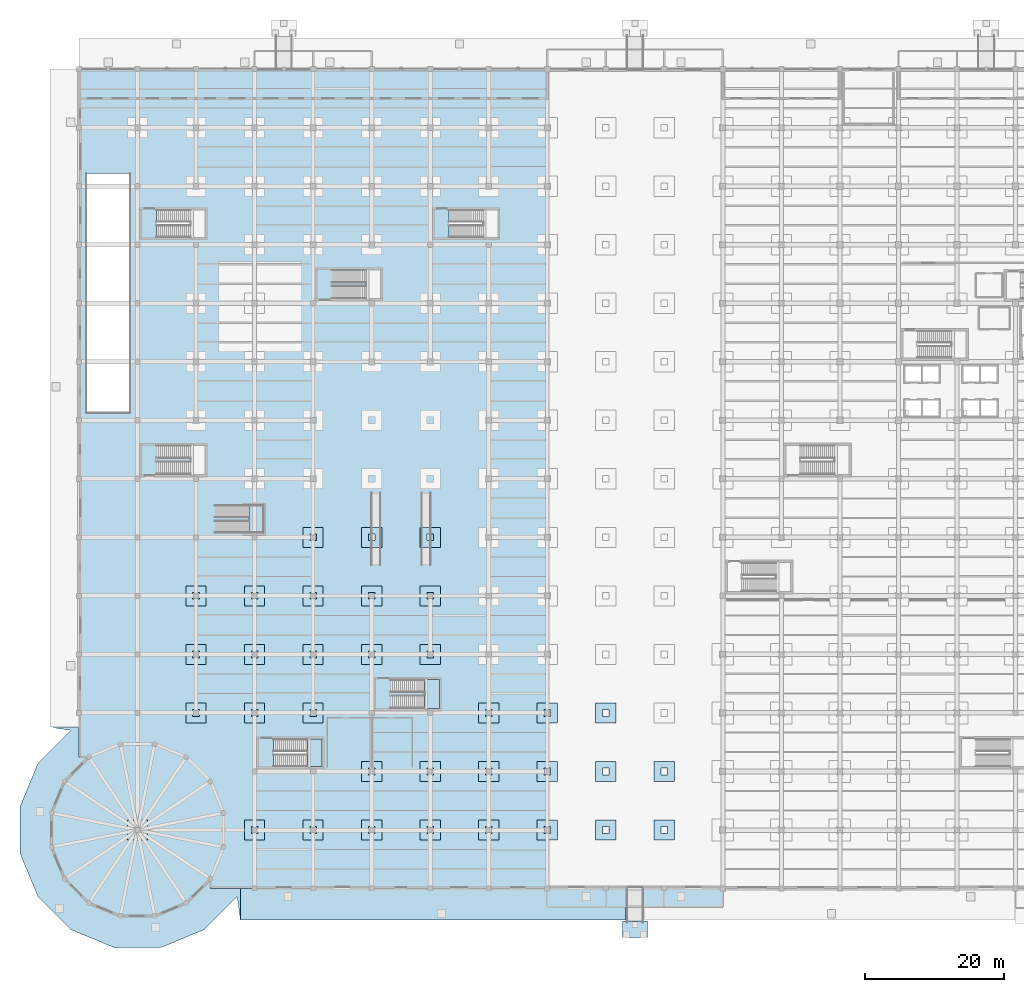
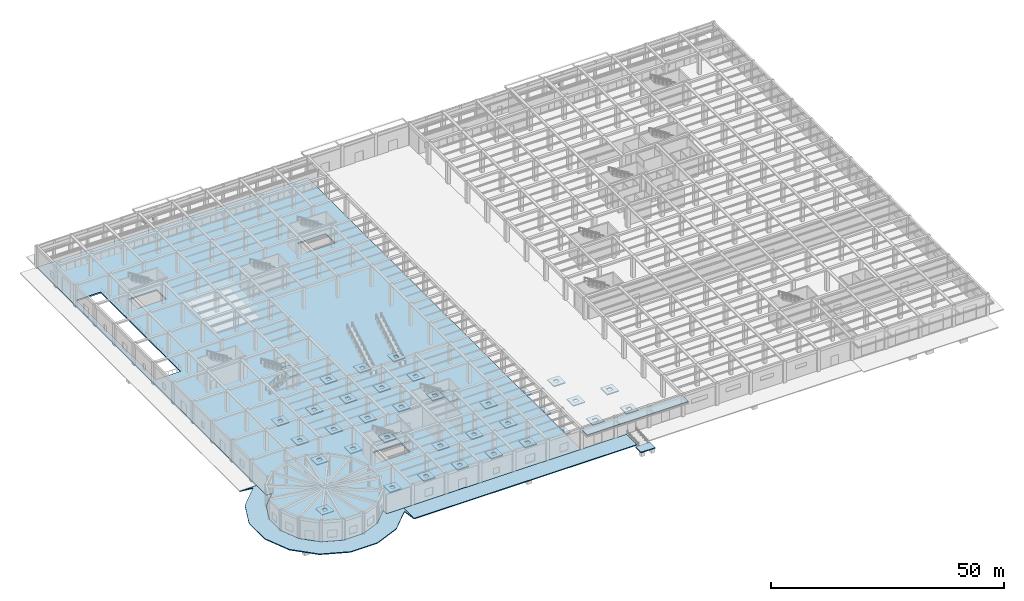
# One storey, part 16 of 43: 42 slabs, 4 elements without a shape of their own.
"""IFC4 building model written with IfcOpenShell, lengths in metres."""

from ifc_helpers import new_model, si_unit, direction, frame, origin, place, context, subcontext, project, spatial, polyline, outline, extrude, material, layer, layer_set, type_object, element, aggregate, save


model = new_model("IFC4")

# Units and contexts
model_context = context("Model", 3, precision=1e-05, world=origin(), true_north=direction((0.0, 1.0)))
body_context = subcontext(model_context, "Body", "Model", "MODEL_VIEW")
ifc_project = project(units=[si_unit("LENGTHUNIT", "METRE"), si_unit("AREAUNIT", "SQUARE_METRE"), si_unit("VOLUMEUNIT", "CUBIC_METRE"), si_unit("PLANEANGLEUNIT", "RADIAN"), si_unit("MASSUNIT", "GRAM", prefix="KILO")], contexts=[model_context])

# Site, building, storey
site_placement = place(None, origin())
site = spatial("IfcSite", under=ifc_project, at=site_placement, CompositionType="ELEMENT")
building_placement = place(site_placement, origin())
building = spatial("IfcBuilding", under=site, at=building_placement, Name="Almacenes y Pasaje Nevantli", CompositionType="ELEMENT")
storey_placement = place(building_placement, origin())
storey = spatial("IfcBuildingStorey", under=building, at=storey_placement, Name="L01", CompositionType="ELEMENT", Elevation=0.0)

# Roof, slab
ifc_material_1 = material(Name="Concrete C35/45", Category="concrete")
roof_type = type_object("IfcRoofType", Name="ROOF-FLAT-DECK", PredefinedType="FLAT_ROOF", material=ifc_material_1)
roof_placement = place(storey_placement, origin())
roof = element("IfcRoof", 1, at=roof_placement, inside=storey, type_object=roof_type, Name="L01 Boulevard and Dock Canopy Roof cnp-south-portal", PredefinedType="FLAT_ROOF")
ifc_material_2 = material(Name="Architectural Precast Concrete C35/45", Category="concrete")
ifc_layer_1 = layer(ifc_material_2, 0.139892578125)
ifc_layer_set_1 = layer_set([ifc_layer_1], Name="Architectural Precast Concrete C35/45")
slab_type_1 = type_object("IfcSlabType", Name="SLB-CANOPY-140", PredefinedType="ROOF", material=ifc_layer_set_1)
slab_1_placement = place(storey_placement, frame((0.0, 0.0, 5.159912109375)))
slab_1 = element("IfcSlab", 2, at=slab_1_placement, type_object=slab_type_1, Name="Architectural Precast Canopy Deck cnp-south-portal", PredefinedType="ROOF", context=body_context, shape_type="SweptSolid", body=[
    extrude(outline(polyline([(67.199951171875, -2.60009765625), (92.39990234375, -2.60009765625), (92.39990234375, 0.0), (67.199951171875, 0.0), (67.199951171875, -2.60009765625)])), origin(), (0.0, 0.0, 1.0), 0.14013671875),
])
aggregate(roof, [slab_1])

# Slabs
ifc_material_3 = material(Name="Concrete C35/45", Category="concrete")
ifc_layer_2 = layer(ifc_material_3, 0.25)
ifc_layer_set_2 = layer_set([ifc_layer_2], Name="Concrete C35/45")
slab_type_2 = type_object("IfcSlabType", Name="SLB-DP-250", PredefinedType="USERDEFINED", material=ifc_layer_set_2)
slab_2_placement = place(storey_placement, frame((0.0, 0.0, -0.570068359375)))
element("IfcSlab", 3, at=slab_2_placement, inside=storey, type_object=slab_type_2, Name="L01 Punching-Shear Drop Panel DP-02 #200", ObjectType="DROP PANEL", PredefinedType="USERDEFINED", context=body_context, shape_type="SweptSolid", body=[
    extrude(outline(polyline([(6.949951171875, 6.949951171875), (9.85009765625, 6.949951171875), (9.85009765625, 9.85009765625), (6.949951171875, 9.85009765625), (6.949951171875, 6.949951171875)]), holes=[polyline([(7.919921875, 7.919921875), (8.8798828125, 7.919921875), (8.8798828125, 8.8798828125), (7.919921875, 8.8798828125), (7.919921875, 7.919921875)])]), origin(), (0.0, 0.0, 1.0), 0.25),
])
slab_3_placement = place(storey_placement, frame((0.0, 0.0, -0.570068359375)))
element("IfcSlab", 4, at=slab_3_placement, inside=storey, type_object=slab_type_2, Name="L01 Punching-Shear Drop Panel DP-02 #202", ObjectType="DROP PANEL", PredefinedType="USERDEFINED", context=body_context, shape_type="SweptSolid", body=[
    extrude(outline(polyline([(15.35009765625, 23.75), (18.25, 23.75), (18.25, 26.64990234375), (15.35009765625, 26.64990234375), (15.35009765625, 23.75)]), holes=[polyline([(16.320068359375, 24.719970703125), (17.280029296875, 24.719970703125), (17.280029296875, 25.679931640625), (16.320068359375, 25.679931640625), (16.320068359375, 24.719970703125)])]), origin(), (0.0, 0.0, 1.0), 0.25),
])
slab_4_placement = place(storey_placement, frame((0.0, 0.0, -0.570068359375)))
element("IfcSlab", 5, at=slab_4_placement, inside=storey, type_object=slab_type_2, Name="L01 Punching-Shear Drop Panel DP-02 #203", ObjectType="DROP PANEL", PredefinedType="USERDEFINED", context=body_context, shape_type="SweptSolid", body=[
    extrude(outline(polyline([(15.35009765625, 32.14990234375), (18.25, 32.14990234375), (18.25, 35.050048828125), (15.35009765625, 35.050048828125), (15.35009765625, 32.14990234375)]), holes=[polyline([(16.320068359375, 33.1201171875), (17.280029296875, 33.1201171875), (17.280029296875, 34.080078125), (16.320068359375, 34.080078125), (16.320068359375, 33.1201171875)])]), origin(), (0.0, 0.0, 1.0), 0.25),
])
slab_5_placement = place(storey_placement, frame((0.0, 0.0, -0.570068359375)))
element("IfcSlab", 6, at=slab_5_placement, inside=storey, type_object=slab_type_2, Name="L01 Punching-Shear Drop Panel DP-02 #204", ObjectType="DROP PANEL", PredefinedType="USERDEFINED", context=body_context, shape_type="SweptSolid", body=[
    extrude(outline(polyline([(15.35009765625, 40.550048828125), (18.25, 40.550048828125), (18.25, 43.449951171875), (15.35009765625, 43.449951171875), (15.35009765625, 40.550048828125)]), holes=[polyline([(16.320068359375, 41.52001953125), (17.280029296875, 41.52001953125), (17.280029296875, 42.47998046875), (16.320068359375, 42.47998046875), (16.320068359375, 41.52001953125)])]), origin(), (0.0, 0.0, 1.0), 0.25),
])
slab_6_placement = place(storey_placement, frame((0.0, 0.0, -0.570068359375)))
element("IfcSlab", 7, at=slab_6_placement, inside=storey, type_object=slab_type_2, Name="L01 Punching-Shear Drop Panel DP-02 #210", ObjectType="DROP PANEL", PredefinedType="USERDEFINED", context=body_context, shape_type="SweptSolid", body=[
    extrude(outline(polyline([(23.75, 6.949951171875), (26.64990234375, 6.949951171875), (26.64990234375, 9.85009765625), (23.75, 9.85009765625), (23.75, 6.949951171875)]), holes=[polyline([(24.719970703125, 7.919921875), (25.679931640625, 7.919921875), (25.679931640625, 8.8798828125), (24.719970703125, 8.8798828125), (24.719970703125, 7.919921875)])]), origin(), (0.0, 0.0, 1.0), 0.25),
])
slab_7_placement = place(storey_placement, frame((0.0, 0.0, -0.570068359375)))
element("IfcSlab", 8, at=slab_7_placement, inside=storey, type_object=slab_type_2, Name="L01 Punching-Shear Drop Panel DP-02 #211", ObjectType="DROP PANEL", PredefinedType="USERDEFINED", context=body_context, shape_type="SweptSolid", body=[
    extrude(outline(polyline([(23.75, 23.75), (26.64990234375, 23.75), (26.64990234375, 26.64990234375), (23.75, 26.64990234375), (23.75, 23.75)]), holes=[polyline([(24.719970703125, 24.719970703125), (25.679931640625, 24.719970703125), (25.679931640625, 25.679931640625), (24.719970703125, 25.679931640625), (24.719970703125, 24.719970703125)])]), origin(), (0.0, 0.0, 1.0), 0.25),
])
slab_8_placement = place(storey_placement, frame((0.0, 0.0, -0.570068359375)))
element("IfcSlab", 9, at=slab_8_placement, inside=storey, type_object=slab_type_2, Name="L01 Punching-Shear Drop Panel DP-02 #212", ObjectType="DROP PANEL", PredefinedType="USERDEFINED", context=body_context, shape_type="SweptSolid", body=[
    extrude(outline(polyline([(23.75, 32.14990234375), (26.64990234375, 32.14990234375), (26.64990234375, 35.050048828125), (23.75, 35.050048828125), (23.75, 32.14990234375)]), holes=[polyline([(24.719970703125, 33.1201171875), (25.679931640625, 33.1201171875), (25.679931640625, 34.080078125), (24.719970703125, 34.080078125), (24.719970703125, 33.1201171875)])]), origin(), (0.0, 0.0, 1.0), 0.25),
])
slab_9_placement = place(storey_placement, frame((0.0, 0.0, -0.570068359375)))
element("IfcSlab", 10, at=slab_9_placement, inside=storey, type_object=slab_type_2, Name="L01 Punching-Shear Drop Panel DP-02 #213", ObjectType="DROP PANEL", PredefinedType="USERDEFINED", context=body_context, shape_type="SweptSolid", body=[
    extrude(outline(polyline([(23.75, 40.550048828125), (26.64990234375, 40.550048828125), (26.64990234375, 43.449951171875), (23.75, 43.449951171875), (23.75, 40.550048828125)]), holes=[polyline([(24.719970703125, 41.52001953125), (25.679931640625, 41.52001953125), (25.679931640625, 42.47998046875), (24.719970703125, 42.47998046875), (24.719970703125, 41.52001953125)])]), origin(), (0.0, 0.0, 1.0), 0.25),
])
slab_10_placement = place(storey_placement, frame((0.0, 0.0, -0.570068359375)))
element("IfcSlab", 11, at=slab_10_placement, inside=storey, type_object=slab_type_2, Name="L01 Punching-Shear Drop Panel DP-02 #221", ObjectType="DROP PANEL", PredefinedType="USERDEFINED", context=body_context, shape_type="SweptSolid", body=[
    extrude(outline(polyline([(32.14990234375, 6.949951171875), (35.050048828125, 6.949951171875), (35.050048828125, 9.85009765625), (32.14990234375, 9.85009765625), (32.14990234375, 6.949951171875)]), holes=[polyline([(33.1201171875, 7.919921875), (34.080078125, 7.919921875), (34.080078125, 8.8798828125), (33.1201171875, 8.8798828125), (33.1201171875, 7.919921875)])]), origin(), (0.0, 0.0, 1.0), 0.25),
])
slab_11_placement = place(storey_placement, frame((0.0, 0.0, -0.570068359375)))
element("IfcSlab", 12, at=slab_11_placement, inside=storey, type_object=slab_type_2, Name="L01 Punching-Shear Drop Panel DP-02 #222", ObjectType="DROP PANEL", PredefinedType="USERDEFINED", context=body_context, shape_type="SweptSolid", body=[
    extrude(outline(polyline([(32.14990234375, 23.75), (35.050048828125, 23.75), (35.050048828125, 26.64990234375), (32.14990234375, 26.64990234375), (32.14990234375, 23.75)]), holes=[polyline([(33.1201171875, 24.719970703125), (34.080078125, 24.719970703125), (34.080078125, 25.679931640625), (33.1201171875, 25.679931640625), (33.1201171875, 24.719970703125)])]), origin(), (0.0, 0.0, 1.0), 0.25),
])
slab_12_placement = place(storey_placement, frame((0.0, 0.0, -0.570068359375)))
element("IfcSlab", 13, at=slab_12_placement, inside=storey, type_object=slab_type_2, Name="L01 Punching-Shear Drop Panel DP-02 #223", ObjectType="DROP PANEL", PredefinedType="USERDEFINED", context=body_context, shape_type="SweptSolid", body=[
    extrude(outline(polyline([(32.14990234375, 32.14990234375), (35.050048828125, 32.14990234375), (35.050048828125, 35.050048828125), (32.14990234375, 35.050048828125), (32.14990234375, 32.14990234375)]), holes=[polyline([(33.1201171875, 33.1201171875), (34.080078125, 33.1201171875), (34.080078125, 34.080078125), (33.1201171875, 34.080078125), (33.1201171875, 33.1201171875)])]), origin(), (0.0, 0.0, 1.0), 0.25),
])
slab_13_placement = place(storey_placement, frame((0.0, 0.0, -0.570068359375)))
element("IfcSlab", 14, at=slab_13_placement, inside=storey, type_object=slab_type_2, Name="L01 Punching-Shear Drop Panel DP-02 #224", ObjectType="DROP PANEL", PredefinedType="USERDEFINED", context=body_context, shape_type="SweptSolid", body=[
    extrude(outline(polyline([(32.14990234375, 40.550048828125), (35.050048828125, 40.550048828125), (35.050048828125, 43.449951171875), (32.14990234375, 43.449951171875), (32.14990234375, 40.550048828125)]), holes=[polyline([(33.1201171875, 41.52001953125), (34.080078125, 41.52001953125), (34.080078125, 42.47998046875), (33.1201171875, 42.47998046875), (33.1201171875, 41.52001953125)])]), origin(), (0.0, 0.0, 1.0), 0.25),
])
slab_14_placement = place(storey_placement, frame((0.0, 0.0, -0.570068359375)))
element("IfcSlab", 15, at=slab_14_placement, inside=storey, type_object=slab_type_2, Name="L01 Punching-Shear Drop Panel DP-02 #225", ObjectType="DROP PANEL", PredefinedType="USERDEFINED", context=body_context, shape_type="SweptSolid", body=[
    extrude(outline(polyline([(32.14990234375, 48.949951171875), (35.050048828125, 48.949951171875), (35.050048828125, 51.85009765625), (32.14990234375, 51.85009765625), (32.14990234375, 48.949951171875)]), holes=[polyline([(33.1201171875, 49.919921875), (34.080078125, 49.919921875), (34.080078125, 50.8798828125), (33.1201171875, 50.8798828125), (33.1201171875, 49.919921875)])]), origin(), (0.0, 0.0, 1.0), 0.25),
])
slab_15_placement = place(storey_placement, frame((0.0, 0.0, -0.570068359375)))
element("IfcSlab", 16, at=slab_15_placement, inside=storey, type_object=slab_type_2, Name="L01 Punching-Shear Drop Panel DP-02 #232", ObjectType="DROP PANEL", PredefinedType="USERDEFINED", context=body_context, shape_type="SweptSolid", body=[
    extrude(outline(polyline([(40.550048828125, 6.949951171875), (43.449951171875, 6.949951171875), (43.449951171875, 9.85009765625), (40.550048828125, 9.85009765625), (40.550048828125, 6.949951171875)]), holes=[polyline([(41.52001953125, 7.919921875), (42.47998046875, 7.919921875), (42.47998046875, 8.8798828125), (41.52001953125, 8.8798828125), (41.52001953125, 7.919921875)])]), origin(), (0.0, 0.0, 1.0), 0.25),
])
slab_16_placement = place(storey_placement, frame((0.0, 0.0, -0.570068359375)))
element("IfcSlab", 17, at=slab_16_placement, inside=storey, type_object=slab_type_2, Name="L01 Punching-Shear Drop Panel DP-02 #233", ObjectType="DROP PANEL", PredefinedType="USERDEFINED", context=body_context, shape_type="SweptSolid", body=[
    extrude(outline(polyline([(40.550048828125, 15.35009765625), (43.449951171875, 15.35009765625), (43.449951171875, 18.25), (40.550048828125, 18.25), (40.550048828125, 15.35009765625)]), holes=[polyline([(41.52001953125, 16.320068359375), (42.47998046875, 16.320068359375), (42.47998046875, 17.280029296875), (41.52001953125, 17.280029296875), (41.52001953125, 16.320068359375)])]), origin(), (0.0, 0.0, 1.0), 0.25),
])
slab_17_placement = place(storey_placement, frame((0.0, 0.0, -0.570068359375)))
element("IfcSlab", 18, at=slab_17_placement, inside=storey, type_object=slab_type_2, Name="L01 Punching-Shear Drop Panel DP-02 #234", ObjectType="DROP PANEL", PredefinedType="USERDEFINED", context=body_context, shape_type="SweptSolid", body=[
    extrude(outline(polyline([(40.550048828125, 32.14990234375), (43.449951171875, 32.14990234375), (43.449951171875, 35.050048828125), (40.550048828125, 35.050048828125), (40.550048828125, 32.14990234375)]), holes=[polyline([(41.52001953125, 33.1201171875), (42.47998046875, 33.1201171875), (42.47998046875, 34.080078125), (41.52001953125, 34.080078125), (41.52001953125, 33.1201171875)])]), origin(), (0.0, 0.0, 1.0), 0.25),
])
slab_18_placement = place(storey_placement, frame((0.0, 0.0, -0.570068359375)))
element("IfcSlab", 19, at=slab_18_placement, inside=storey, type_object=slab_type_2, Name="L01 Punching-Shear Drop Panel DP-02 #235", ObjectType="DROP PANEL", PredefinedType="USERDEFINED", context=body_context, shape_type="SweptSolid", body=[
    extrude(outline(polyline([(40.550048828125, 40.550048828125), (43.449951171875, 40.550048828125), (43.449951171875, 43.449951171875), (40.550048828125, 43.449951171875), (40.550048828125, 40.550048828125)]), holes=[polyline([(41.52001953125, 41.52001953125), (42.47998046875, 41.52001953125), (42.47998046875, 42.47998046875), (41.52001953125, 42.47998046875), (41.52001953125, 41.52001953125)])]), origin(), (0.0, 0.0, 1.0), 0.25),
])
slab_19_placement = place(storey_placement, frame((0.0, 0.0, -0.570068359375)))
element("IfcSlab", 20, at=slab_19_placement, inside=storey, type_object=slab_type_2, Name="L01 Punching-Shear Drop Panel DP-02 #236", ObjectType="DROP PANEL", PredefinedType="USERDEFINED", context=body_context, shape_type="SweptSolid", body=[
    extrude(outline(polyline([(40.550048828125, 48.949951171875), (43.449951171875, 48.949951171875), (43.449951171875, 51.85009765625), (40.550048828125, 51.85009765625), (40.550048828125, 48.949951171875)]), holes=[polyline([(41.52001953125, 49.919921875), (42.47998046875, 49.919921875), (42.47998046875, 50.8798828125), (41.52001953125, 50.8798828125), (41.52001953125, 49.919921875)])]), origin(), (0.0, 0.0, 1.0), 0.25),
])
slab_20_placement = place(storey_placement, frame((0.0, 0.0, -0.570068359375)))
element("IfcSlab", 21, at=slab_20_placement, inside=storey, type_object=slab_type_2, Name="L01 Punching-Shear Drop Panel DP-02 #243", ObjectType="DROP PANEL", PredefinedType="USERDEFINED", context=body_context, shape_type="SweptSolid", body=[
    extrude(outline(polyline([(48.949951171875, 6.949951171875), (51.85009765625, 6.949951171875), (51.85009765625, 9.85009765625), (48.949951171875, 9.85009765625), (48.949951171875, 6.949951171875)]), holes=[polyline([(49.919921875, 7.919921875), (50.8798828125, 7.919921875), (50.8798828125, 8.8798828125), (49.919921875, 8.8798828125), (49.919921875, 7.919921875)])]), origin(), (0.0, 0.0, 1.0), 0.25),
])
slab_21_placement = place(storey_placement, frame((0.0, 0.0, -0.570068359375)))
element("IfcSlab", 22, at=slab_21_placement, inside=storey, type_object=slab_type_2, Name="L01 Punching-Shear Drop Panel DP-02 #244", ObjectType="DROP PANEL", PredefinedType="USERDEFINED", context=body_context, shape_type="SweptSolid", body=[
    extrude(outline(polyline([(48.949951171875, 15.35009765625), (51.85009765625, 15.35009765625), (51.85009765625, 18.25), (48.949951171875, 18.25), (48.949951171875, 15.35009765625)]), holes=[polyline([(49.919921875, 16.320068359375), (50.8798828125, 16.320068359375), (50.8798828125, 17.280029296875), (49.919921875, 17.280029296875), (49.919921875, 16.320068359375)])]), origin(), (0.0, 0.0, 1.0), 0.25),
])
slab_22_placement = place(storey_placement, frame((0.0, 0.0, -0.570068359375)))
element("IfcSlab", 23, at=slab_22_placement, inside=storey, type_object=slab_type_2, Name="L01 Punching-Shear Drop Panel DP-02 #245", ObjectType="DROP PANEL", PredefinedType="USERDEFINED", context=body_context, shape_type="SweptSolid", body=[
    extrude(outline(polyline([(48.949951171875, 32.14990234375), (51.85009765625, 32.14990234375), (51.85009765625, 35.050048828125), (48.949951171875, 35.050048828125), (48.949951171875, 32.14990234375)]), holes=[polyline([(49.919921875, 33.1201171875), (50.8798828125, 33.1201171875), (50.8798828125, 34.080078125), (49.919921875, 34.080078125), (49.919921875, 33.1201171875)])]), origin(), (0.0, 0.0, 1.0), 0.25),
])
slab_23_placement = place(storey_placement, frame((0.0, 0.0, -0.570068359375)))
element("IfcSlab", 24, at=slab_23_placement, inside=storey, type_object=slab_type_2, Name="L01 Punching-Shear Drop Panel DP-02 #246", ObjectType="DROP PANEL", PredefinedType="USERDEFINED", context=body_context, shape_type="SweptSolid", body=[
    extrude(outline(polyline([(48.949951171875, 40.550048828125), (51.85009765625, 40.550048828125), (51.85009765625, 43.449951171875), (48.949951171875, 43.449951171875), (48.949951171875, 40.550048828125)]), holes=[polyline([(49.919921875, 41.52001953125), (50.8798828125, 41.52001953125), (50.8798828125, 42.47998046875), (49.919921875, 42.47998046875), (49.919921875, 41.52001953125)])]), origin(), (0.0, 0.0, 1.0), 0.25),
])
slab_24_placement = place(storey_placement, frame((0.0, 0.0, -0.570068359375)))
element("IfcSlab", 25, at=slab_24_placement, inside=storey, type_object=slab_type_2, Name="L01 Punching-Shear Drop Panel DP-02 #247", ObjectType="DROP PANEL", PredefinedType="USERDEFINED", context=body_context, shape_type="SweptSolid", body=[
    extrude(outline(polyline([(48.949951171875, 48.949951171875), (51.85009765625, 48.949951171875), (51.85009765625, 51.85009765625), (48.949951171875, 51.85009765625), (48.949951171875, 48.949951171875)]), holes=[polyline([(49.919921875, 49.919921875), (50.8798828125, 49.919921875), (50.8798828125, 50.8798828125), (49.919921875, 50.8798828125), (49.919921875, 49.919921875)])]), origin(), (0.0, 0.0, 1.0), 0.25),
])
slab_25_placement = place(storey_placement, frame((0.0, 0.0, -0.570068359375)))
element("IfcSlab", 26, at=slab_25_placement, inside=storey, type_object=slab_type_2, Name="L01 Punching-Shear Drop Panel DP-02 #254", ObjectType="DROP PANEL", PredefinedType="USERDEFINED", context=body_context, shape_type="SweptSolid", body=[
    extrude(outline(polyline([(57.35009765625, 6.949951171875), (60.25, 6.949951171875), (60.25, 9.85009765625), (57.35009765625, 9.85009765625), (57.35009765625, 6.949951171875)]), holes=[polyline([(58.320068359375, 7.919921875), (59.280029296875, 7.919921875), (59.280029296875, 8.8798828125), (58.320068359375, 8.8798828125), (58.320068359375, 7.919921875)])]), origin(), (0.0, 0.0, 1.0), 0.25),
])
slab_26_placement = place(storey_placement, frame((0.0, 0.0, -0.570068359375)))
element("IfcSlab", 27, at=slab_26_placement, inside=storey, type_object=slab_type_2, Name="L01 Punching-Shear Drop Panel DP-02 #255", ObjectType="DROP PANEL", PredefinedType="USERDEFINED", context=body_context, shape_type="SweptSolid", body=[
    extrude(outline(polyline([(57.35009765625, 15.35009765625), (60.25, 15.35009765625), (60.25, 18.25), (57.35009765625, 18.25), (57.35009765625, 15.35009765625)]), holes=[polyline([(58.320068359375, 16.320068359375), (59.280029296875, 16.320068359375), (59.280029296875, 17.280029296875), (58.320068359375, 17.280029296875), (58.320068359375, 16.320068359375)])]), origin(), (0.0, 0.0, 1.0), 0.25),
])
slab_27_placement = place(storey_placement, frame((0.0, 0.0, -0.570068359375)))
element("IfcSlab", 28, at=slab_27_placement, inside=storey, type_object=slab_type_2, Name="L01 Punching-Shear Drop Panel DP-02 #256", ObjectType="DROP PANEL", PredefinedType="USERDEFINED", context=body_context, shape_type="SweptSolid", body=[
    extrude(outline(polyline([(57.35009765625, 23.75), (60.25, 23.75), (60.25, 26.64990234375), (57.35009765625, 26.64990234375), (57.35009765625, 23.75)]), holes=[polyline([(58.320068359375, 24.719970703125), (59.280029296875, 24.719970703125), (59.280029296875, 25.679931640625), (58.320068359375, 25.679931640625), (58.320068359375, 24.719970703125)])]), origin(), (0.0, 0.0, 1.0), 0.25),
])
slab_28_placement = place(storey_placement, frame((0.0, 0.0, -0.570068359375)))
element("IfcSlab", 29, at=slab_28_placement, inside=storey, type_object=slab_type_2, Name="L01 Punching-Shear Drop Panel DP-02 #266", ObjectType="DROP PANEL", PredefinedType="USERDEFINED", context=body_context, shape_type="SweptSolid", body=[
    extrude(outline(polyline([(65.75, 6.949951171875), (68.64990234375, 6.949951171875), (68.64990234375, 9.85009765625), (65.75, 9.85009765625), (65.75, 6.949951171875)]), holes=[polyline([(66.719970703125, 7.919921875), (67.679931640625, 7.919921875), (67.679931640625, 8.8798828125), (66.719970703125, 8.8798828125), (66.719970703125, 7.919921875)])]), origin(), (0.0, 0.0, 1.0), 0.25),
])
slab_29_placement = place(storey_placement, frame((0.0, 0.0, -0.570068359375)))
element("IfcSlab", 30, at=slab_29_placement, inside=storey, type_object=slab_type_2, Name="L01 Punching-Shear Drop Panel DP-02 #267", ObjectType="DROP PANEL", PredefinedType="USERDEFINED", context=body_context, shape_type="SweptSolid", body=[
    extrude(outline(polyline([(65.75, 15.35009765625), (68.64990234375, 15.35009765625), (68.64990234375, 18.25), (65.75, 18.25), (65.75, 15.35009765625)]), holes=[polyline([(66.719970703125, 16.320068359375), (67.679931640625, 16.320068359375), (67.679931640625, 17.280029296875), (66.719970703125, 17.280029296875), (66.719970703125, 16.320068359375)])]), origin(), (0.0, 0.0, 1.0), 0.25),
])
slab_30_placement = place(storey_placement, frame((0.0, 0.0, -0.570068359375)))
element("IfcSlab", 31, at=slab_30_placement, inside=storey, type_object=slab_type_2, Name="L01 Punching-Shear Drop Panel DP-02 #268", ObjectType="DROP PANEL", PredefinedType="USERDEFINED", context=body_context, shape_type="SweptSolid", body=[
    extrude(outline(polyline([(65.75, 23.75), (68.64990234375, 23.75), (68.64990234375, 26.64990234375), (65.75, 26.64990234375), (65.75, 23.75)]), holes=[polyline([(66.719970703125, 24.719970703125), (67.679931640625, 24.719970703125), (67.679931640625, 25.679931640625), (66.719970703125, 25.679931640625), (66.719970703125, 24.719970703125)])]), origin(), (0.0, 0.0, 1.0), 0.25),
])
slab_31_placement = place(storey_placement, frame((0.0, 0.0, -0.570068359375)))
element("IfcSlab", 32, at=slab_31_placement, inside=storey, type_object=slab_type_2, Name="L01 Punching-Shear Drop Panel DP-02 #279", ObjectType="DROP PANEL", PredefinedType="USERDEFINED", context=body_context, shape_type="SweptSolid", body=[
    extrude(outline(polyline([(74.14990234375, 6.949951171875), (77.050048828125, 6.949951171875), (77.050048828125, 9.85009765625), (74.14990234375, 9.85009765625), (74.14990234375, 6.949951171875)]), holes=[polyline([(75.1201171875, 7.919921875), (76.080078125, 7.919921875), (76.080078125, 8.8798828125), (75.1201171875, 8.8798828125), (75.1201171875, 7.919921875)])]), origin(), (0.0, 0.0, 1.0), 0.25),
])
slab_32_placement = place(storey_placement, frame((0.0, 0.0, -0.570068359375)))
element("IfcSlab", 33, at=slab_32_placement, inside=storey, type_object=slab_type_2, Name="L01 Punching-Shear Drop Panel DP-02 #280", ObjectType="DROP PANEL", PredefinedType="USERDEFINED", context=body_context, shape_type="SweptSolid", body=[
    extrude(outline(polyline([(74.14990234375, 15.35009765625), (77.050048828125, 15.35009765625), (77.050048828125, 18.25), (74.14990234375, 18.25), (74.14990234375, 15.35009765625)]), holes=[polyline([(75.1201171875, 16.320068359375), (76.080078125, 16.320068359375), (76.080078125, 17.280029296875), (75.1201171875, 17.280029296875), (75.1201171875, 16.320068359375)])]), origin(), (0.0, 0.0, 1.0), 0.25),
])
slab_33_placement = place(storey_placement, frame((0.0, 0.0, -0.570068359375)))
element("IfcSlab", 34, at=slab_33_placement, inside=storey, type_object=slab_type_2, Name="L01 Punching-Shear Drop Panel DP-02 #281", ObjectType="DROP PANEL", PredefinedType="USERDEFINED", context=body_context, shape_type="SweptSolid", body=[
    extrude(outline(polyline([(74.14990234375, 23.75), (77.050048828125, 23.75), (77.050048828125, 26.64990234375), (74.14990234375, 26.64990234375), (74.14990234375, 23.75)]), holes=[polyline([(75.1201171875, 24.719970703125), (76.080078125, 24.719970703125), (76.080078125, 25.679931640625), (75.1201171875, 25.679931640625), (75.1201171875, 24.719970703125)])]), origin(), (0.0, 0.0, 1.0), 0.25),
])
slab_34_placement = place(storey_placement, frame((0.0, 0.0, -0.570068359375)))
element("IfcSlab", 35, at=slab_34_placement, inside=storey, type_object=slab_type_2, Name="L01 Punching-Shear Drop Panel DP-02 #292", ObjectType="DROP PANEL", PredefinedType="USERDEFINED", context=body_context, shape_type="SweptSolid", body=[
    extrude(outline(polyline([(82.550048828125, 6.949951171875), (85.449951171875, 6.949951171875), (85.449951171875, 9.85009765625), (82.550048828125, 9.85009765625), (82.550048828125, 6.949951171875)]), holes=[polyline([(83.52001953125, 7.919921875), (84.47998046875, 7.919921875), (84.47998046875, 8.8798828125), (83.52001953125, 8.8798828125), (83.52001953125, 7.919921875)])]), origin(), (0.0, 0.0, 1.0), 0.25),
])
slab_35_placement = place(storey_placement, frame((0.0, 0.0, -0.570068359375)))
element("IfcSlab", 36, at=slab_35_placement, inside=storey, type_object=slab_type_2, Name="L01 Punching-Shear Drop Panel DP-02 #293", ObjectType="DROP PANEL", PredefinedType="USERDEFINED", context=body_context, shape_type="SweptSolid", body=[
    extrude(outline(polyline([(82.550048828125, 15.35009765625), (85.449951171875, 15.35009765625), (85.449951171875, 18.25), (82.550048828125, 18.25), (82.550048828125, 15.35009765625)]), holes=[polyline([(83.52001953125, 16.320068359375), (84.47998046875, 16.320068359375), (84.47998046875, 17.280029296875), (83.52001953125, 17.280029296875), (83.52001953125, 16.320068359375)])]), origin(), (0.0, 0.0, 1.0), 0.25),
])
ifc_material_4 = material(Name="Concrete C35/45", Category="concrete")
ifc_layer_3 = layer(ifc_material_4, 0.320068359375)
ifc_layer_set_3 = layer_set([ifc_layer_3], Name="Concrete C35/45")
slab_type_3 = type_object("IfcSlabType", Name="SLB-FLR-320", PredefinedType="FLOOR", material=ifc_layer_set_3)
slab_36_placement = place(storey_placement, frame((0.0, 0.0, -0.320068359375)))
element("IfcSlab", 37, at=slab_36_placement, inside=storey, type_object=slab_type_3, Name="L01 West Department Store and Rotunda Floor Slab", PredefinedType="FLOOR", context=body_context, shape_type="SweptSolid", body=[
    extrude(outline(polyline([(18.87646484375, 0.0), (67.199951171875, 0.0), (67.199951171875, 117.60009765625), (0.0, 117.60009765625), (0.0, 18.87646484375), (1.39990234375, 18.87646484375), (-2.076416015625, 15.400146484375), (-3.9580078125, 10.858154296875), (-3.9580078125, 5.94189453125), (-2.076416015625, 1.39990234375), (1.39990234375, -2.076416015625), (5.94189453125, -3.9580078125), (10.858154296875, -3.9580078125), (15.400146484375, -2.076416015625), (18.87646484375, 1.39990234375), (18.87646484375, 0.0)]), holes=[polyline([(11.114990234375, 93.449951171875), (18.10009765625, 93.449951171875), (18.10009765625, 97.39990234375), (11.114990234375, 97.39990234375), (11.114990234375, 93.449951171875)]), polyline([(27.9150390625, 17.5), (34.89990234375, 17.5), (34.89990234375, 21.449951171875), (27.9150390625, 21.449951171875), (27.9150390625, 17.5)]), polyline([(53.114990234375, 93.449951171875), (60.10009765625, 93.449951171875), (60.10009765625, 97.39990234375), (53.114990234375, 97.39990234375), (53.114990234375, 93.449951171875)]), polyline([(1.14990234375, 68.35009765625), (7.25, 68.35009765625), (7.25, 102.64990234375), (1.14990234375, 102.64990234375), (1.14990234375, 68.35009765625)])]), origin(), (0.0, 0.0, 1.0), 0.320068359375),
])

# Stair, slab
ifc_material_5 = material(Name="Concrete C35/45", Category="concrete")
stair_type_1 = type_object("IfcStairType", Name="STR-CORE-1750", PredefinedType="HALF_TURN_STAIR", material=ifc_material_5)
stair_1_placement = place(storey_placement, origin())
stair_1 = element("IfcStair", 38, at=stair_1_placement, inside=storey, type_object=stair_type_1, Name="L01 Staircase ST-04", PredefinedType="HALF_TURN_STAIR")
ifc_material_6 = material(Name="Concrete C35/45", Category="concrete")
ifc_layer_4 = layer(ifc_material_6, 0.199951171875)
ifc_layer_set_4 = layer_set([ifc_layer_4], Name="Concrete C35/45")
slab_type_4 = type_object("IfcSlabType", Name="SLB-LAND-200", PredefinedType="LANDING", material=ifc_layer_set_4)
slab_37_placement = place(storey_placement, frame((0.0, 0.0, 2.800048828125)))
slab_37 = element("IfcSlab", 39, at=slab_37_placement, type_object=slab_type_4, Name="ST-04-L01 landing 1", PredefinedType="LANDING", context=body_context, shape_type="SweptSolid", body=[
    extrude(outline(polyline([(32.81494140625, 17.5), (34.89990234375, 17.5), (34.89990234375, 21.449951171875), (32.81494140625, 21.449951171875), (32.81494140625, 17.5)])), origin(), (0.0, 0.0, 1.0), 0.199951171875),
])
aggregate(stair_1, [slab_37])

ifc_material_7 = material(Name="Concrete C35/45", Category="concrete")
stair_type_2 = type_object("IfcStairType", Name="STR-CORE-1850", PredefinedType="HALF_TURN_STAIR", material=ifc_material_7)
stair_2_placement = place(storey_placement, origin())
stair_2 = element("IfcStair", 40, at=stair_2_placement, inside=storey, type_object=stair_type_2, Name="L01 Staircase ST-14", PredefinedType="HALF_TURN_STAIR")
slab_38_placement = place(storey_placement, frame((0.0, 0.0, 2.800048828125)))
slab_38 = element("IfcSlab", 41, at=slab_38_placement, type_object=slab_type_4, Name="ST-14-L01 landing 1", PredefinedType="LANDING", context=body_context, shape_type="SweptSolid", body=[
    extrude(outline(polyline([(49.614990234375, 25.85009765625), (51.699951171875, 25.85009765625), (51.699951171875, 30.0), (49.614990234375, 30.0), (49.614990234375, 25.85009765625)])), origin(), (0.0, 0.0, 1.0), 0.199951171875),
])
aggregate(stair_2, [slab_38])

ifc_material_8 = material(Name="Concrete C35/45", Category="concrete")
stair_type_3 = type_object("IfcStairType", Name="STR-FEAT-1750", PredefinedType="HALF_TURN_STAIR", material=ifc_material_8)
stair_3_placement = place(storey_placement, origin())
stair_3 = element("IfcStair", 42, at=stair_3_placement, inside=storey, type_object=stair_type_3, Name="L01 Staircase ST-09", PredefinedType="HALF_TURN_STAIR")
slab_39_placement = place(storey_placement, frame((0.0, 0.0, 2.800048828125)))
slab_39 = element("IfcSlab", 43, at=slab_39_placement, type_object=slab_type_4, Name="ST-09-L01 landing 1", PredefinedType="LANDING", context=body_context, shape_type="SweptSolid", body=[
    extrude(outline(polyline([(24.4150390625, 51.050048828125), (26.5, 51.050048828125), (26.5, 55.0), (24.4150390625, 55.0), (24.4150390625, 51.050048828125)])), origin(), (0.0, 0.0, 1.0), 0.199951171875),
])
aggregate(stair_3, [slab_39])

# Slabs
ifc_material_9 = material(Name="Toluca Basalt Stone Paving on Compacted Subbase", Category="masonry")
ifc_layer_5 = layer(ifc_material_9, 0.239990234375)
ifc_layer_set_5 = layer_set([ifc_layer_5], Name="Toluca Basalt Stone Paving on Compacted Subbase")
slab_type_5 = type_object("IfcSlabType", Name="SLB-PAVING-240", PredefinedType="USERDEFINED", material=ifc_layer_set_5)
slab_40_placement = place(storey_placement, frame((0.0, 0.0, -0.239990234375)))
element("IfcSlab", 44, at=slab_40_placement, inside=storey, type_object=slab_type_5, Name="South Arcade Forecourt Sidewalk Paving Zone 1", ObjectType="PAVING", PredefinedType="USERDEFINED", context=body_context, shape_type="SweptSolid", body=[
    extrude(outline(polyline([(23.199951171875, -4.5), (78.449951171875, -4.5), (78.449951171875, 0.0), (23.199951171875, 0.0), (23.199951171875, -4.5)])), origin(), (0.0, 0.0, 1.0), 0.239990234375),
])
slab_41_placement = place(storey_placement, frame((0.0, 0.0, -0.239990234375)))
element("IfcSlab", 45, at=slab_41_placement, inside=storey, type_object=slab_type_5, Name="Corner Rotunda Ceremonial Forecourt Paving", ObjectType="PAVING", PredefinedType="USERDEFINED", context=body_context, shape_type="SweptSolid", body=[
    extrude(outline(polyline([(0.0, 18.8798828125), (0.0, 23.14990234375), (-4.199951171875, 23.14990234375), (-1.15576171875, 22.701416015625), (-5.9013671875, 17.955810546875), (-8.469482421875, 11.755615234375), (-8.469482421875, 5.04443359375), (-5.9013671875, -1.15576171875), (-1.15576171875, -5.9013671875), (5.04443359375, -8.469482421875), (11.755615234375, -8.469482421875), (17.955810546875, -5.9013671875), (22.701416015625, -1.15576171875), (23.14990234375, -4.5), (23.14990234375, 0.0), (18.8798828125, 0.0), (18.87646484375, 1.39990234375), (15.400146484375, -2.076416015625), (10.858154296875, -3.9580078125), (5.94189453125, -3.9580078125), (1.39990234375, -2.076416015625), (-2.076416015625, 1.39990234375), (-3.9580078125, 5.94189453125), (-3.9580078125, 10.858154296875), (-2.076416015625, 15.400146484375), (1.39990234375, 18.87646484375), (0.0, 18.8798828125)])), origin(), (0.0, 0.0, 1.0), 0.239990234375),
])
ifc_material_10 = material(Name="Concrete C35/45", Category="concrete")
ifc_layer_6 = layer(ifc_material_10, 0.239990234375)
ifc_layer_set_6 = layer_set([ifc_layer_6], Name="Concrete C35/45")
slab_type_6 = type_object("IfcSlabType", Name="SLB-PLINTH-240", PredefinedType="BASESLAB", material=ifc_layer_set_6)
slab_42_placement = place(storey_placement, frame((0.0, 0.0, -0.56005859375)))
element("IfcSlab", 46, at=slab_42_placement, inside=storey, type_object=slab_type_6, Name="Boulevard Entrance Ramp Plinth Slab RP-06", PredefinedType="BASESLAB", context=body_context, shape_type="SweptSolid", body=[
    extrude(outline(polyline([(78.0, -7.050048828125), (81.60009765625, -7.050048828125), (81.60009765625, -4.64990234375), (78.0, -4.64990234375), (78.0, -7.050048828125)])), origin(), (0.0, 0.0, 1.0), 0.239990234375),
])

save(model, "model.ifc")
